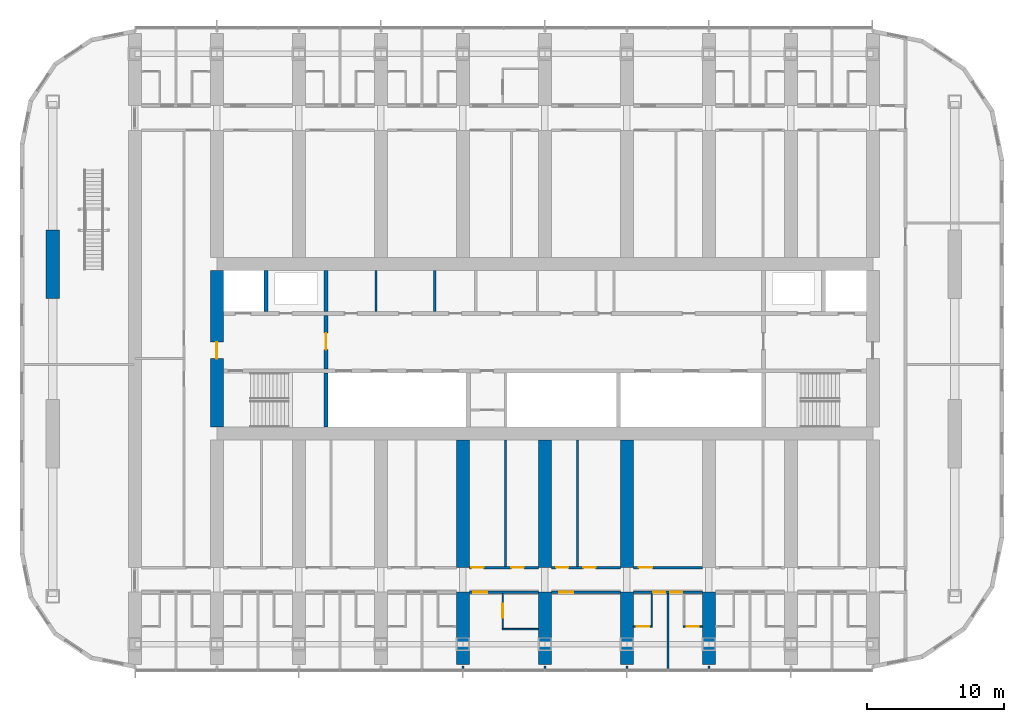
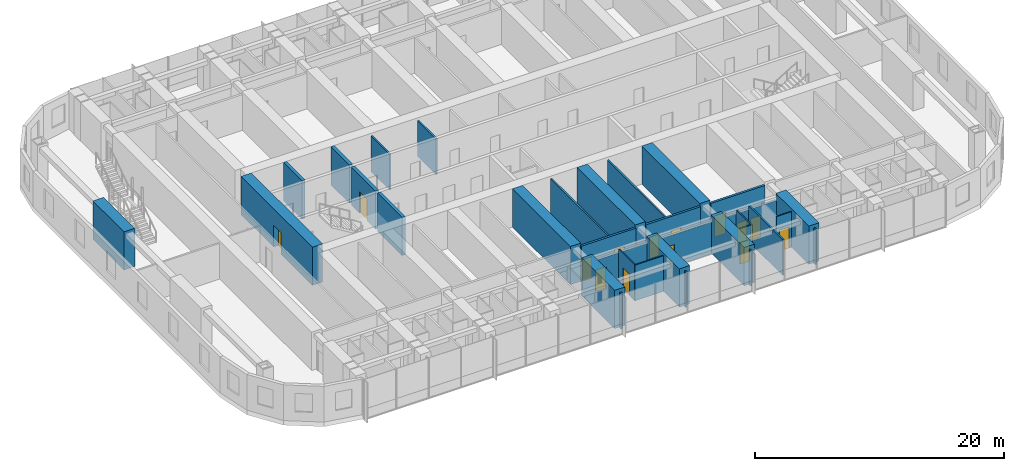
# One storey, part 12 of 25: 33 walls, 14 doors, 14 openings.
"""IFC4 building model written with IfcOpenShell, lengths in metres."""

from ifc_helpers import new_model, si_unit, direction, frame, frame_2d, origin, place, context, subcontext, project, spatial, polyline, rectangle, outline, extrude, material, layer, layer_set, type_object, element, fill, save


model = new_model("IFC4")

# Units and contexts
model_context = context("Model", 3, precision=1e-05, world=origin(), true_north=direction((0.0, 1.0)))
body_context = subcontext(model_context, "Body", "Model", "MODEL_VIEW")
ifc_project = project(units=[si_unit("LENGTHUNIT", "METRE"), si_unit("AREAUNIT", "SQUARE_METRE"), si_unit("VOLUMEUNIT", "CUBIC_METRE"), si_unit("PLANEANGLEUNIT", "RADIAN"), si_unit("MASSUNIT", "GRAM", prefix="KILO")], contexts=[model_context])

# Site, building, storey
site_placement = place(None, origin())
site = spatial("IfcSite", under=ifc_project, at=site_placement, CompositionType="ELEMENT")
building_placement = place(site_placement, origin())
building = spatial("IfcBuilding", under=site, at=building_placement, Name="Orbita Commons", CompositionType="ELEMENT")
storey_placement = place(building_placement, frame((0.0, 0.0, 84.39990234375)))
storey = spatial("IfcBuildingStorey", under=building, at=storey_placement, Name="L20", CompositionType="ELEMENT", Elevation=84.39990234375)

# Wall
ifc_material_1 = material(Name="Concrete C50/60", Category="concrete")
ifc_layer_1 = layer(ifc_material_1, 0.300048828125)
ifc_layer_set_1 = layer_set([ifc_layer_1], Name="Concrete C50/60")
wall_type_1 = type_object("IfcWallType", Name="Core inner wall 300 C50/60", PredefinedType="SHEAR", material=ifc_layer_set_1)
wall_1_placement = place(storey_placement, frame((26.0, 26.27490234375, 0.0), z_axis=(0.0, 0.0, 1.0), x_axis=(0.0, 1.0, 0.0)))
element("IfcWall", 1, at=wall_1_placement, inside=storey, type_object=wall_type_1, Name="Stair S1 wall L20", PredefinedType="SHEAR", context=body_context, shape_type="SweptSolid", body=[
    extrude(rectangle(XDim=3.97509765625, YDim=0.300048828125, at=frame_2d((1.987548828125, 0.0))), origin(), (0.0, 0.0, 1.0), 3.75),
])

# Wall, opening, door
wall_2_placement = place(storey_placement, frame((26.0, 30.550048828125, 0.0), z_axis=(0.0, 0.0, 1.0), x_axis=(0.0, 1.0, 0.0)))
wall_2 = element("IfcWall", 2, at=wall_2_placement, inside=storey, type_object=wall_type_1, Name="Firefighting lobby wall west L20", PredefinedType="SHEAR", context=body_context, shape_type="SweptSolid", body=[
    extrude(rectangle(XDim=3.89990234375, YDim=0.300048828125, at=frame_2d((1.949951171875, 0.0))), origin(), (0.0, 0.0, 1.0), 3.75),
])
opening_1_placement = place(wall_2_placement, frame((1.39990234375, 0.0, 0.0)))
opening_1 = element("IfcOpeningElement", 3, at=opening_1_placement, cuts=wall_2, Name="Opening D04", PredefinedType="OPENING", context=body_context, shape_type="SweptSolid", body=[
    extrude(rectangle(XDim=1.199951171875, YDim=2.10009765625, at=frame_2d((0.60009765625, 1.050048828125))), frame((0.0, 0.159912109375, 0.0), z_axis=(0.0, -1.0, 0.0), x_axis=(1.0, 0.0, 0.0)), (0.0, 0.0, 1.0), 0.320068359375),
])
ifc_material_2 = material(Name="Steel-faced fire door leaf", Category="steel")
door_type_1 = type_object("IfcDoorType", Name="Service door 20 min 1200x2100", OperationType="SINGLE_SWING_LEFT", PredefinedType="DOOR", material=ifc_material_2)
door_1_placement = place(opening_1_placement, origin())
door_1 = element("IfcDoor", 4, at=door_1_placement, inside=storey, type_object=door_type_1, Name="Lift lobby door west", OperationType="SINGLE_SWING_LEFT", OverallHeight=2.10009765625, OverallWidth=1.199951171875, PredefinedType="DOOR", context=body_context, shape_type="SweptSolid", body=[
    extrude(rectangle(XDim=1.199951171875, YDim=2.10009765625, at=frame_2d((0.60009765625, 1.050048828125))), frame((0.0, 0.02490234375, 0.0), z_axis=(0.0, -1.0, 0.0), x_axis=(1.0, 0.0, 0.0)), (0.0, 0.0, 1.0), 0.050048828125),
])
fill(opening_1, door_1)

# Walls
for number, where, z_axis, x_axis, name in (
    (5, (21.60009765625, 34.75, 0.0), (0.0, 0.0, 1.0), (0.0, 1.0, 0.0), "Firefighting lift FL1 shaft wall L20"),
    (6, (26.0, 34.75, 0.0), (0.0, 0.0, 1.0), (0.0, 1.0, 0.0), "Riser wall west L20"),
):
    element("IfcWall", number, at=place(storey_placement, frame(where, z_axis=z_axis, x_axis=x_axis)), inside=storey, type_object=wall_type_1, Name=name, PredefinedType="SHEAR", context=body_context, shape_type="SweptSolid", body=[
        extrude(rectangle(XDim=2.97509765625, YDim=0.300048828125, at=frame_2d((1.487548828125, 0.0))), origin(), (0.0, 0.0, 1.0), 3.75),
    ])
ifc_material_3 = material(Name="Concrete blockwork", Category="masonry")
ifc_layer_2 = layer(ifc_material_3, 0.14990234375)
ifc_layer_set_2 = layer_set([ifc_layer_2], Name="Concrete blockwork")
wall_type_2 = type_object("IfcWallType", Name="Core partition 150 blockwork", PredefinedType="SOLIDWALL", material=ifc_layer_set_2)
for number, where, z_axis, x_axis, name in (
    (7, (29.65087890625, 34.75, 0.0), (0.0, 0.0, 1.0), (0.0, 1.0, 0.0), "Core partition 150 blockwork L20"),
    (8, (33.9462890625, 34.75, 0.0), (0.0, 0.0, 1.0), (0.0, 1.0, 0.0), "Core partition 150 blockwork L20"),
):
    element("IfcWall", number, at=place(storey_placement, frame(where, z_axis=z_axis, x_axis=x_axis)), inside=storey, type_object=wall_type_2, Name=name, PredefinedType="SOLIDWALL", context=body_context, shape_type="SweptSolid", body=[
        extrude(rectangle(XDim=2.97509765625, YDim=0.14990234375, at=frame_2d((1.487548828125, 0.0))), origin(), (0.0, 0.0, 1.0), 3.5),
    ])

# Wall, opening, door
ifc_material_4 = material(Name="Concrete C50/60", Category="concrete")
ifc_layer_3 = layer(ifc_material_4, 0.949951171875)
ifc_layer_set_3 = layer_set([ifc_layer_3], Name="Concrete C50/60")
wall_type_3 = type_object("IfcWallType", Name="Core wall 950 C50/60", PredefinedType="SHEAR", material=ifc_layer_set_3)
wall_3_placement = place(storey_placement, frame((18.0, 26.27490234375, 0.0), z_axis=(0.0, 0.0, 1.0), x_axis=(0.0, 1.0, 0.0)))
wall_3 = element("IfcWall", 9, at=wall_3_placement, inside=storey, type_object=wall_type_3, Name="Core end wall west L20", PredefinedType="SHEAR", context=body_context, shape_type="SweptSolid", body=[
    extrude(rectangle(XDim=11.4501953125, YDim=0.949951171875, at=frame_2d((5.72509765625, 0.0))), origin(), (0.0, 0.0, 1.0), 3.75),
])
opening_2_placement = place(wall_3_placement, frame((5.02490234375, 0.0, 0.0)))
opening_2 = element("IfcOpeningElement", 10, at=opening_2_placement, cuts=wall_3, Name="Opening D01", PredefinedType="OPENING", context=body_context, shape_type="SweptSolid", body=[
    extrude(rectangle(XDim=1.199951171875, YDim=2.10009765625, at=frame_2d((0.60009765625, 1.050048828125))), frame((0.0, 0.48486328125, 0.0), z_axis=(0.0, -1.0, 0.0), x_axis=(1.0, 0.0, 0.0)), (0.0, 0.0, 1.0), 0.969970703125),
])
ifc_material_5 = material(Name="Steel-faced fire door leaf", Category="steel")
door_type_2 = type_object("IfcDoorType", Name="Fire door 90 min 1200x2100", OperationType="SINGLE_SWING_LEFT", PredefinedType="DOOR", material=ifc_material_5)
door_2_placement = place(opening_2_placement, origin())
door_2 = element("IfcDoor", 11, at=door_2_placement, inside=storey, type_object=door_type_2, Name="Firefighting lobby west door", OperationType="SINGLE_SWING_LEFT", OverallHeight=2.10009765625, OverallWidth=1.199951171875, PredefinedType="DOOR", context=body_context, shape_type="SweptSolid", body=[
    extrude(rectangle(XDim=1.199951171875, YDim=2.10009765625, at=frame_2d((0.60009765625, 1.050048828125))), frame((0.0, 0.02490234375, 0.0), z_axis=(0.0, -1.0, 0.0), x_axis=(1.0, 0.0, 0.0)), (0.0, 0.0, 1.0), 0.050048828125),
])
fill(opening_2, door_2)

ifc_material_6 = material(Name="Concrete blockwork", Category="masonry")
ifc_layer_4 = layer(ifc_material_6, 0.199951171875)
ifc_layer_set_4 = layer_set([ifc_layer_4], Name="Concrete blockwork")
wall_type_4 = type_object("IfcWallType", Name="Corridor wall 200 blockwork", PredefinedType="SOLIDWALL", material=ifc_layer_set_4)
wall_4_placement = place(storey_placement, frame((36.47509765625, 14.199951171875, 0.0), z_axis=(0.0, 0.0, 1.0), x_axis=(1.0, 0.0, 0.0)))
wall_4 = element("IfcWall", 12, at=wall_4_placement, inside=storey, type_object=wall_type_4, Name="Corridor wall 200 blockwork L20", PredefinedType="SOLIDWALL", context=body_context, shape_type="SweptSolid", body=[
    extrude(outline(polyline([(0.0, 0.0), (5.0498046875, 0.0), (5.050048828125, 3.10009765625), (0.0, 3.10009765625), (0.0, 0.0)])), frame((0.0, 0.10009765625, 0.0), z_axis=(0.0, -1.0, 0.0), x_axis=(1.0, 0.0, 0.0)), (0.0, 0.0, 1.0), 0.199951171875),
])
opening_3_placement = place(wall_4_placement, frame((0.300048828125, 0.0, 0.0)))
opening_3 = element("IfcOpeningElement", 13, at=opening_3_placement, cuts=wall_4, Name="Opening D06", PredefinedType="OPENING", context=body_context, shape_type="SweptSolid", body=[
    extrude(rectangle(XDim=1.0, YDim=2.10009765625, at=frame_2d((0.5, 1.050048828125))), frame((0.0, 0.10986328125, 0.0), z_axis=(0.0, -1.0, 0.0), x_axis=(1.0, 0.0, 0.0)), (0.0, 0.0, 1.0), 0.219970703125),
])
ifc_material_7 = material(Name="Steel-faced fire door leaf", Category="steel")
door_type_3 = type_object("IfcDoorType", Name="Corridor door 20 min 1000x2100", OperationType="SINGLE_SWING_LEFT", PredefinedType="DOOR", material=ifc_material_7)
door_3_placement = place(opening_3_placement, origin())
door_3 = element("IfcDoor", 14, at=door_3_placement, inside=storey, type_object=door_type_3, Name="Accessible bedroom L20-S08 door", OperationType="SINGLE_SWING_LEFT", OverallHeight=2.10009765625, OverallWidth=1.0, PredefinedType="DOOR", context=body_context, shape_type="SweptSolid", body=[
    extrude(rectangle(XDim=1.0, YDim=2.10009765625, at=frame_2d((0.5, 1.050048828125))), frame((0.0, 0.02490234375, 0.0), z_axis=(0.0, -1.0, 0.0), x_axis=(1.0, 0.0, 0.0)), (0.0, 0.0, 1.0), 0.050048828125),
])
fill(opening_3, door_3)

wall_5_placement = place(storey_placement, frame((42.47509765625, 14.199951171875, 0.0), z_axis=(0.0, 0.0, 1.0), x_axis=(1.0, 0.0, 0.0)))
wall_5 = element("IfcWall", 15, at=wall_5_placement, inside=storey, type_object=wall_type_4, Name="Corridor wall 200 blockwork L20", PredefinedType="SOLIDWALL", context=body_context, shape_type="SweptSolid", body=[
    extrude(outline(polyline([(0.0, 0.0), (5.0498046875, 0.0), (5.050048828125, 3.10009765625), (0.0, 3.10009765625), (0.0, 0.0)])), frame((0.0, 0.10009765625, 0.0), z_axis=(0.0, -1.0, 0.0), x_axis=(1.0, 0.0, 0.0)), (0.0, 0.0, 1.0), 0.199951171875),
])
opening_4_placement = place(wall_5_placement, frame((0.60009765625, 0.0, 0.0)))
opening_4 = element("IfcOpeningElement", 16, at=opening_4_placement, cuts=wall_5, Name="Opening D06", PredefinedType="OPENING", context=body_context, shape_type="SweptSolid", body=[
    extrude(rectangle(XDim=1.0, YDim=2.10009765625, at=frame_2d((0.5, 1.050048828125))), frame((0.0, 0.10986328125, 0.0), z_axis=(0.0, -1.0, 0.0), x_axis=(1.0, 0.0, 0.0)), (0.0, 0.0, 1.0), 0.219970703125),
])
door_4_placement = place(opening_4_placement, origin())
door_4 = element("IfcDoor", 17, at=door_4_placement, inside=storey, type_object=door_type_3, Name="Cluster kitchen-diner L20-S10 door", OperationType="SINGLE_SWING_LEFT", OverallHeight=2.10009765625, OverallWidth=1.0, PredefinedType="DOOR", context=body_context, shape_type="SweptSolid", body=[
    extrude(rectangle(XDim=1.0, YDim=2.10009765625, at=frame_2d((0.5, 1.050048828125))), frame((0.0, 0.02490234375, 0.0), z_axis=(0.0, -1.0, 0.0), x_axis=(1.0, 0.0, 0.0)), (0.0, 0.0, 1.0), 0.050048828125),
])
fill(opening_4, door_4)

# Wall, openings, doors
wall_6_placement = place(storey_placement, frame((48.47509765625, 14.199951171875, 0.0), z_axis=(0.0, 0.0, 1.0), x_axis=(1.0, 0.0, 0.0)))
wall_6 = element("IfcWall", 18, at=wall_6_placement, inside=storey, type_object=wall_type_4, Name="Corridor wall 200 blockwork L20", PredefinedType="SOLIDWALL", context=body_context, shape_type="SweptSolid", body=[
    extrude(outline(polyline([(0.0, 0.0), (5.0498046875, 0.0), (5.050048828125, 3.10009765625), (0.0, 3.10009765625), (0.0, 0.0)])), frame((0.0, 0.10009765625, 0.0), z_axis=(0.0, -1.0, 0.0), x_axis=(1.0, 0.0, 0.0)), (0.0, 0.0, 1.0), 0.199951171875),
])
opening_5_placement = place(wall_6_placement, frame((1.449951171875, 0.0, 0.0)))
opening_5 = element("IfcOpeningElement", 19, at=opening_5_placement, cuts=wall_6, Name="Opening D11", PredefinedType="OPENING", context=body_context, shape_type="SweptSolid", body=[
    extrude(rectangle(XDim=0.89990234375, YDim=2.10009765625, at=frame_2d((0.449951171875, 1.050048828125))), frame((0.0, 0.10986328125, 0.0), z_axis=(0.0, -1.0, 0.0), x_axis=(1.0, 0.0, 0.0)), (0.0, 0.0, 1.0), 0.219970703125),
])
opening_6_placement = place(wall_6_placement, frame((2.699951171875, 0.0, 0.0)))
opening_6 = element("IfcOpeningElement", 20, at=opening_6_placement, cuts=wall_6, Name="Opening D11", PredefinedType="OPENING", context=body_context, shape_type="SweptSolid", body=[
    extrude(rectangle(XDim=0.89990234375, YDim=2.10009765625, at=frame_2d((0.449951171875, 1.050048828125))), frame((0.0, 0.10986328125, 0.0), z_axis=(0.0, -1.0, 0.0), x_axis=(1.0, 0.0, 0.0)), (0.0, 0.0, 1.0), 0.219970703125),
])
ifc_material_8 = material(Name="Steel-faced fire door leaf", Category="steel")
door_type_4 = type_object("IfcDoorType", Name="Corridor door 20 min 900x2100", OperationType="SINGLE_SWING_LEFT", PredefinedType="DOOR", material=ifc_material_8)
door_5_placement = place(opening_5_placement, origin())
door_5 = element("IfcDoor", 21, at=door_5_placement, inside=storey, type_object=door_type_4, Name="Cluster bedroom L20-S12 door", OperationType="SINGLE_SWING_LEFT", OverallHeight=2.10009765625, OverallWidth=0.89990234375, PredefinedType="DOOR", context=body_context, shape_type="SweptSolid", body=[
    extrude(rectangle(XDim=0.89990234375, YDim=2.10009765625, at=frame_2d((0.449951171875, 1.050048828125))), frame((0.0, 0.02490234375, 0.0), z_axis=(0.0, -1.0, 0.0), x_axis=(1.0, 0.0, 0.0)), (0.0, 0.0, 1.0), 0.050048828125),
])
fill(opening_5, door_5)
door_6_placement = place(opening_6_placement, origin())
door_6 = element("IfcDoor", 22, at=door_6_placement, inside=storey, type_object=door_type_4, Name="Cluster bedroom L20-S13 door", OperationType="SINGLE_SWING_LEFT", OverallHeight=2.10009765625, OverallWidth=0.89990234375, PredefinedType="DOOR", context=body_context, shape_type="SweptSolid", body=[
    extrude(rectangle(XDim=0.89990234375, YDim=2.10009765625, at=frame_2d((0.449951171875, 1.050048828125))), frame((0.0, 0.02490234375, 0.0), z_axis=(0.0, -1.0, 0.0), x_axis=(1.0, 0.0, 0.0)), (0.0, 0.0, 1.0), 0.050048828125),
])
fill(opening_6, door_6)

ifc_material_9 = material(Name="Hollow concrete block 200", Category="concrete")
ifc_layer_5 = layer(ifc_material_9, 0.199951171875)
ifc_layer_set_5 = layer_set([ifc_layer_5], Name="Hollow concrete block 200")
wall_type_5 = type_object("IfcWallType", Name="Corridor wall 200 hollow concrete block", PredefinedType="SOLIDWALL", material=ifc_layer_set_5)
wall_7_placement = place(storey_placement, frame((36.47509765625, 16.0, 0.0), z_axis=(0.0, 0.0, 1.0), x_axis=(1.0, 0.0, 0.0)))
wall_7 = element("IfcWall", 23, at=wall_7_placement, inside=storey, type_object=wall_type_5, Name="Corridor wall 200 hollow concrete block L20", PredefinedType="SOLIDWALL", context=body_context, shape_type="SweptSolid", body=[
    extrude(rectangle(XDim=5.0498046875, YDim=0.199951171875, at=frame_2d((2.52490234375, 0.0))), origin(), (0.0, 0.0, 1.0), 3.5),
])
opening_7_placement = place(wall_7_placement, frame((0.14990234375, 0.0, 0.0)))
opening_7 = element("IfcOpeningElement", 24, at=opening_7_placement, cuts=wall_7, Name="Opening D11", PredefinedType="OPENING", context=body_context, shape_type="SweptSolid", body=[
    extrude(rectangle(XDim=0.89990234375, YDim=2.10009765625, at=frame_2d((0.449951171875, 1.050048828125))), frame((0.0, 0.10986328125, 0.0), z_axis=(0.0, -1.0, 0.0), x_axis=(1.0, 0.0, 0.0)), (0.0, 0.0, 1.0), 0.219970703125),
])
opening_8_placement = place(wall_7_placement, frame((3.0849609375, 0.0, 0.0)))
opening_8 = element("IfcOpeningElement", 25, at=opening_8_placement, cuts=wall_7, Name="Opening D11", PredefinedType="OPENING", context=body_context, shape_type="SweptSolid", body=[
    extrude(rectangle(XDim=0.89990234375, YDim=2.10009765625, at=frame_2d((0.449951171875, 1.050048828125))), frame((0.0, 0.10986328125, 0.0), z_axis=(0.0, -1.0, 0.0), x_axis=(1.0, 0.0, 0.0)), (0.0, 0.0, 1.0), 0.219970703125),
])
door_7_placement = place(opening_7_placement, origin())
door_7 = element("IfcDoor", 26, at=door_7_placement, inside=storey, type_object=door_type_4, Name="Battery and UPS room L20-BDS36n door", OperationType="SINGLE_SWING_LEFT", OverallHeight=2.10009765625, OverallWidth=0.89990234375, PredefinedType="DOOR", context=body_context, shape_type="SweptSolid", body=[
    extrude(rectangle(XDim=0.89990234375, YDim=2.10009765625, at=frame_2d((0.449951171875, 1.050048828125))), frame((0.0, 0.02490234375, 0.0), z_axis=(0.0, -1.0, 0.0), x_axis=(1.0, 0.0, 0.0)), (0.0, 0.0, 1.0), 0.050048828125),
])
fill(opening_7, door_7)
door_8_placement = place(opening_8_placement, origin())
door_8 = element("IfcDoor", 27, at=door_8_placement, inside=storey, type_object=door_type_4, Name="Refuse and recycling room L20-BDS36 door", OperationType="SINGLE_SWING_LEFT", OverallHeight=2.10009765625, OverallWidth=0.89990234375, PredefinedType="DOOR", context=body_context, shape_type="SweptSolid", body=[
    extrude(rectangle(XDim=0.89990234375, YDim=2.10009765625, at=frame_2d((0.449951171875, 1.050048828125))), frame((0.0, 0.02490234375, 0.0), z_axis=(0.0, -1.0, 0.0), x_axis=(1.0, 0.0, 0.0)), (0.0, 0.0, 1.0), 0.050048828125),
])
fill(opening_8, door_8)

wall_8_placement = place(storey_placement, frame((42.47509765625, 16.0, 0.0), z_axis=(0.0, 0.0, 1.0), x_axis=(1.0, 0.0, 0.0)))
wall_8 = element("IfcWall", 28, at=wall_8_placement, inside=storey, type_object=wall_type_5, Name="Corridor wall 200 hollow concrete block L20", PredefinedType="SOLIDWALL", context=body_context, shape_type="SweptSolid", body=[
    extrude(rectangle(XDim=5.0498046875, YDim=0.199951171875, at=frame_2d((2.52490234375, 0.0))), origin(), (0.0, 0.0, 1.0), 3.5),
])
opening_9_placement = place(wall_8_placement, frame((0.35009765625, 0.0, 0.0)))
opening_9 = element("IfcOpeningElement", 29, at=opening_9_placement, cuts=wall_8, Name="Opening D11", PredefinedType="OPENING", context=body_context, shape_type="SweptSolid", body=[
    extrude(rectangle(XDim=0.89990234375, YDim=2.10009765625, at=frame_2d((0.449951171875, 1.050048828125))), frame((0.0, 0.10986328125, 0.0), z_axis=(0.0, -1.0, 0.0), x_axis=(1.0, 0.0, 0.0)), (0.0, 0.0, 1.0), 0.219970703125),
])
opening_10_placement = place(wall_8_placement, frame((2.344970703125, 0.0, 0.0)))
opening_10 = element("IfcOpeningElement", 30, at=opening_10_placement, cuts=wall_8, Name="Opening D11", PredefinedType="OPENING", context=body_context, shape_type="SweptSolid", body=[
    extrude(rectangle(XDim=0.89990234375, YDim=2.10009765625, at=frame_2d((0.449951171875, 1.050048828125))), frame((0.0, 0.10986328125, 0.0), z_axis=(0.0, -1.0, 0.0), x_axis=(1.0, 0.0, 0.0)), (0.0, 0.0, 1.0), 0.219970703125),
])
door_9_placement = place(opening_9_placement, origin())
door_9 = element("IfcDoor", 31, at=door_9_placement, inside=storey, type_object=door_type_4, Name="Sprinkler valve room L20-BDS42n door", OperationType="SINGLE_SWING_LEFT", OverallHeight=2.10009765625, OverallWidth=0.89990234375, PredefinedType="DOOR", context=body_context, shape_type="SweptSolid", body=[
    extrude(rectangle(XDim=0.89990234375, YDim=2.10009765625, at=frame_2d((0.449951171875, 1.050048828125))), frame((0.0, 0.02490234375, 0.0), z_axis=(0.0, -1.0, 0.0), x_axis=(1.0, 0.0, 0.0)), (0.0, 0.0, 1.0), 0.050048828125),
])
fill(opening_9, door_9)
door_10_placement = place(opening_10_placement, origin())
door_10 = element("IfcDoor", 32, at=door_10_placement, inside=storey, type_object=door_type_4, Name="Cleaners store L20-BDS42 door", OperationType="SINGLE_SWING_LEFT", OverallHeight=2.10009765625, OverallWidth=0.89990234375, PredefinedType="DOOR", context=body_context, shape_type="SweptSolid", body=[
    extrude(rectangle(XDim=0.89990234375, YDim=2.10009765625, at=frame_2d((0.449951171875, 1.050048828125))), frame((0.0, 0.02490234375, 0.0), z_axis=(0.0, -1.0, 0.0), x_axis=(1.0, 0.0, 0.0)), (0.0, 0.0, 1.0), 0.050048828125),
])
fill(opening_10, door_10)

# Wall, opening, door
wall_9_placement = place(storey_placement, frame((48.47509765625, 16.0, 0.0), z_axis=(0.0, 0.0, 1.0), x_axis=(1.0, 0.0, 0.0)))
wall_9 = element("IfcWall", 33, at=wall_9_placement, inside=storey, type_object=wall_type_5, Name="Corridor wall 200 hollow concrete block L20", PredefinedType="SOLIDWALL", context=body_context, shape_type="SweptSolid", body=[
    extrude(rectangle(XDim=5.0498046875, YDim=0.199951171875, at=frame_2d((2.52490234375, 0.0))), origin(), (0.0, 0.0, 1.0), 3.5),
])
opening_11_placement = place(wall_9_placement, frame((0.39990234375, 0.0, 0.0)))
opening_11 = element("IfcOpeningElement", 34, at=opening_11_placement, cuts=wall_9, Name="Opening D06", PredefinedType="OPENING", context=body_context, shape_type="SweptSolid", body=[
    extrude(rectangle(XDim=1.0, YDim=2.10009765625, at=frame_2d((0.5, 1.050048828125))), frame((0.0, 0.10986328125, 0.0), z_axis=(0.0, -1.0, 0.0), x_axis=(1.0, 0.0, 0.0)), (0.0, 0.0, 1.0), 0.219970703125),
])
door_11_placement = place(opening_11_placement, origin())
door_11 = element("IfcDoor", 35, at=door_11_placement, inside=storey, type_object=door_type_3, Name="Linen store L20-BDS48 door", OperationType="SINGLE_SWING_LEFT", OverallHeight=2.10009765625, OverallWidth=1.0, PredefinedType="DOOR", context=body_context, shape_type="SweptSolid", body=[
    extrude(rectangle(XDim=1.0, YDim=2.10009765625, at=frame_2d((0.5, 1.050048828125))), frame((0.0, 0.02490234375, 0.0), z_axis=(0.0, -1.0, 0.0), x_axis=(1.0, 0.0, 0.0)), (0.0, 0.0, 1.0), 0.050048828125),
])
fill(opening_11, door_11)

# Walls
ifc_material_10 = material(Name="Concrete C50/60", Category="concrete")
ifc_layer_6 = layer(ifc_material_10, 0.949951171875)
ifc_layer_set_6 = layer_set([ifc_layer_6], Name="Concrete C50/60")
wall_type_6 = type_object("IfcWallType", Name="Cross wall 950 C50/60", PredefinedType="SHEAR", material=ifc_layer_set_6)
wall_10_placement = place(storey_placement, frame((36.0, 8.89990234375, 0.0), z_axis=(0.0, 0.0, 1.0), x_axis=(0.0, 1.0, 0.0)))
element("IfcWall", 36, at=wall_10_placement, inside=storey, type_object=wall_type_6, Name="Cross wall 7 south outer L20", PredefinedType="SHEAR", context=body_context, shape_type="SweptSolid", body=[
    extrude(rectangle(XDim=5.300048828125, YDim=0.949951171875, at=frame_2d((2.64990234375, 0.0))), origin(), (0.0, 0.0, 1.0), 3.75),
])
wall_11_placement = place(storey_placement, frame((36.0, 16.0, 0.0), z_axis=(0.0, 0.0, 1.0), x_axis=(0.0, 1.0, 0.0)))
element("IfcWall", 37, at=wall_11_placement, inside=storey, type_object=wall_type_6, Name="Cross wall 7 south inner L20", PredefinedType="SHEAR", context=body_context, shape_type="SweptSolid", body=[
    extrude(rectangle(XDim=9.324951171875, YDim=0.949951171875, at=frame_2d((4.66259765625, 0.0))), origin(), (0.0, 0.0, 1.0), 3.75),
])
wall_12_placement = place(storey_placement, frame((42.0, 8.89990234375, 0.0), z_axis=(0.0, 0.0, 1.0), x_axis=(0.0, 1.0, 0.0)))
element("IfcWall", 38, at=wall_12_placement, inside=storey, type_object=wall_type_6, Name="Cross wall 8 south outer L20", PredefinedType="SHEAR", context=body_context, shape_type="SweptSolid", body=[
    extrude(rectangle(XDim=5.300048828125, YDim=0.949951171875, at=frame_2d((2.64990234375, 0.0))), origin(), (0.0, 0.0, 1.0), 3.75),
])
wall_13_placement = place(storey_placement, frame((42.0, 16.0, 0.0), z_axis=(0.0, 0.0, 1.0), x_axis=(0.0, 1.0, 0.0)))
element("IfcWall", 39, at=wall_13_placement, inside=storey, type_object=wall_type_6, Name="Cross wall 8 south inner L20", PredefinedType="SHEAR", context=body_context, shape_type="SweptSolid", body=[
    extrude(rectangle(XDim=9.324951171875, YDim=0.949951171875, at=frame_2d((4.66259765625, 0.0))), origin(), (0.0, 0.0, 1.0), 3.75),
])
wall_14_placement = place(storey_placement, frame((48.0, 8.89990234375, 0.0), z_axis=(0.0, 0.0, 1.0), x_axis=(0.0, 1.0, 0.0)))
element("IfcWall", 40, at=wall_14_placement, inside=storey, type_object=wall_type_6, Name="Cross wall 9 south outer L20", PredefinedType="SHEAR", context=body_context, shape_type="SweptSolid", body=[
    extrude(rectangle(XDim=5.300048828125, YDim=0.949951171875, at=frame_2d((2.64990234375, 0.0))), origin(), (0.0, 0.0, 1.0), 3.75),
])
wall_15_placement = place(storey_placement, frame((48.0, 16.0, 0.0), z_axis=(0.0, 0.0, 1.0), x_axis=(0.0, 1.0, 0.0)))
element("IfcWall", 41, at=wall_15_placement, inside=storey, type_object=wall_type_6, Name="Cross wall 9 south inner L20", PredefinedType="SHEAR", context=body_context, shape_type="SweptSolid", body=[
    extrude(rectangle(XDim=9.324951171875, YDim=0.949951171875, at=frame_2d((4.66259765625, 0.0))), origin(), (0.0, 0.0, 1.0), 3.75),
])
wall_16_placement = place(storey_placement, frame((54.0, 8.89990234375, 0.0), z_axis=(0.0, 0.0, 1.0), x_axis=(0.0, 1.0, 0.0)))
element("IfcWall", 42, at=wall_16_placement, inside=storey, type_object=wall_type_6, Name="Cross wall 10 south outer L20", PredefinedType="SHEAR", context=body_context, shape_type="SweptSolid", body=[
    extrude(rectangle(XDim=5.300048828125, YDim=0.949951171875, at=frame_2d((2.64990234375, 0.0))), origin(), (0.0, 0.0, 1.0), 3.75),
])
ifc_material_11 = material(Name="Moisture-resistant plasterboard on steel studs", Category="steel")
ifc_layer_7 = layer(ifc_material_11, 0.10009765625)
ifc_layer_set_7 = layer_set([ifc_layer_7], Name="Moisture-resistant plasterboard on steel studs")
wall_type_7 = type_object("IfcWallType", Name="En-suite partition 100", PredefinedType="PARTITIONING", material=ifc_layer_set_7)
wall_17_placement = place(storey_placement, frame((38.875, 11.5, 0.0), z_axis=(0.0, 0.0, 1.0), x_axis=(1.0, 0.0, 0.0)))
element("IfcWall", 43, at=wall_17_placement, inside=storey, type_object=wall_type_7, Name="En-suite partition 100 L20", PredefinedType="PARTITIONING", context=body_context, shape_type="SweptSolid", body=[
    extrude(rectangle(XDim=2.64990234375, YDim=0.10009765625, at=frame_2d((1.324951171875, 0.0))), origin(), (0.0, 0.0, 1.0), 3.5),
])

# Wall, opening, door
wall_18_placement = place(storey_placement, frame((38.925048828125, 11.550048828125, 0.0), z_axis=(0.0, 0.0, 1.0), x_axis=(0.0, 1.0, 0.0)))
wall_18 = element("IfcWall", 44, at=wall_18_placement, inside=storey, type_object=wall_type_7, Name="En-suite partition 100 L20", PredefinedType="PARTITIONING", context=body_context, shape_type="SweptSolid", body=[
    extrude(outline(polyline([(0.0, 0.0), (2.550048828125, 0.0), (2.550048828125, 3.10009765625), (2.501953125, 3.10009765625), (2.5, 3.5), (0.0, 3.5), (0.0, 0.0)])), frame((0.0, 0.050048828125, 0.0), z_axis=(0.0, -1.0, 0.0), x_axis=(1.0, 0.0, 0.0)), (0.0, 0.0, 1.0), 0.10009765625),
])
opening_12_placement = place(wall_18_placement, frame((0.800048828125, 0.0, 0.0)))
opening_12 = element("IfcOpeningElement", 45, at=opening_12_placement, cuts=wall_18, Name="Opening D13", PredefinedType="OPENING", context=body_context, shape_type="SweptSolid", body=[
    extrude(rectangle(XDim=1.0, YDim=2.10009765625, at=frame_2d((0.5, 1.050048828125))), frame((0.0, 0.06005859375, 0.0), z_axis=(0.0, -1.0, 0.0), x_axis=(1.0, 0.0, 0.0)), (0.0, 0.0, 1.0), 0.1201171875),
])
ifc_material_12 = material(Name="Laminated timber door leaf", Category="wood")
door_type_5 = type_object("IfcDoorType", Name="En-suite door 1000x2100", OperationType="SINGLE_SWING_RIGHT", PredefinedType="DOOR", material=ifc_material_12)
door_12_placement = place(opening_12_placement, origin())
door_12 = element("IfcDoor", 46, at=door_12_placement, inside=storey, type_object=door_type_5, Name="Accessible shower room L20-S08 door", OperationType="SINGLE_SWING_RIGHT", OverallHeight=2.10009765625, OverallWidth=1.0, PredefinedType="DOOR", context=body_context, shape_type="SweptSolid", body=[
    extrude(rectangle(XDim=1.0, YDim=2.10009765625, at=frame_2d((0.5, 1.050048828125))), frame((0.0, 0.02490234375, 0.0), z_axis=(0.0, -1.0, 0.0), x_axis=(1.0, 0.0, 0.0)), (0.0, 0.0, 1.0), 0.050048828125),
])
fill(opening_12, door_12)

wall_19_placement = place(storey_placement, frame((49.875, 11.699951171875, 0.0), z_axis=(0.0, 0.0, 1.0), x_axis=(-1.0, 0.0, 0.0)))
wall_19 = element("IfcWall", 47, at=wall_19_placement, inside=storey, type_object=wall_type_7, Name="En-suite partition 100 L20", PredefinedType="PARTITIONING", context=body_context, shape_type="SweptSolid", body=[
    extrude(rectangle(XDim=1.39990234375, YDim=0.10009765625, at=frame_2d((0.699951171875, 0.0))), origin(), (0.0, 0.0, 1.0), 3.5),
])
opening_13_placement = place(wall_19_placement, frame((0.25, 0.0, 0.0)))
opening_13 = element("IfcOpeningElement", 48, at=opening_13_placement, cuts=wall_19, Name="Opening D09", PredefinedType="OPENING", context=body_context, shape_type="SweptSolid", body=[
    extrude(rectangle(XDim=0.89990234375, YDim=2.10009765625, at=frame_2d((0.449951171875, 1.050048828125))), frame((0.0, 0.06005859375, 0.0), z_axis=(0.0, -1.0, 0.0), x_axis=(1.0, 0.0, 0.0)), (0.0, 0.0, 1.0), 0.1201171875),
])
ifc_material_13 = material(Name="Laminated timber door leaf", Category="wood")
door_type_6 = type_object("IfcDoorType", Name="En-suite door 900x2100", OperationType="SINGLE_SWING_RIGHT", PredefinedType="DOOR", material=ifc_material_13)
door_13_placement = place(opening_13_placement, origin())
door_13 = element("IfcDoor", 49, at=door_13_placement, inside=storey, type_object=door_type_6, Name="En-suite L20-S12 door", OperationType="SINGLE_SWING_RIGHT", OverallHeight=2.10009765625, OverallWidth=0.89990234375, PredefinedType="DOOR", context=body_context, shape_type="SweptSolid", body=[
    extrude(rectangle(XDim=0.89990234375, YDim=2.10009765625, at=frame_2d((0.449951171875, 1.050048828125))), frame((0.0, 0.02490234375, 0.0), z_axis=(0.0, -1.0, 0.0), x_axis=(1.0, 0.0, 0.0)), (0.0, 0.0, 1.0), 0.050048828125),
])
fill(opening_13, door_13)

# Wall
wall_20_placement = place(storey_placement, frame((49.824951171875, 11.75, 0.0), z_axis=(0.0, 0.0, 1.0), x_axis=(0.0, 1.0, 0.0)))
element("IfcWall", 50, at=wall_20_placement, inside=storey, type_object=wall_type_7, Name="En-suite partition 100 L20", PredefinedType="PARTITIONING", context=body_context, shape_type="SweptSolid", body=[
    extrude(outline(polyline([(0.0, 0.0), (2.35009765625, 0.0), (2.35009765625, 3.10009765625), (2.302001953125, 3.10009765625), (2.300048828125, 3.5), (0.0, 3.5), (0.0, 0.0)])), frame((0.0, 0.050048828125, 0.0), z_axis=(0.0, -1.0, 0.0), x_axis=(1.0, 0.0, 0.0)), (0.0, 0.0, 1.0), 0.10009765625),
])

# Wall, opening, door
wall_21_placement = place(storey_placement, frame((53.52490234375, 11.699951171875, 0.0), z_axis=(0.0, 0.0, 1.0), x_axis=(-1.0, 0.0, 0.0)))
wall_21 = element("IfcWall", 51, at=wall_21_placement, inside=storey, type_object=wall_type_7, Name="En-suite partition 100 L20", PredefinedType="PARTITIONING", context=body_context, shape_type="SweptSolid", body=[
    extrude(rectangle(XDim=1.39990234375, YDim=0.10009765625, at=frame_2d((0.699951171875, 0.0))), origin(), (0.0, 0.0, 1.0), 3.5),
])
opening_14_placement = place(wall_21_placement, frame((0.25, 0.0, 0.0)))
opening_14 = element("IfcOpeningElement", 52, at=opening_14_placement, cuts=wall_21, Name="Opening D09", PredefinedType="OPENING", context=body_context, shape_type="SweptSolid", body=[
    extrude(rectangle(XDim=0.89990234375, YDim=2.10009765625, at=frame_2d((0.449951171875, 1.050048828125))), frame((0.0, 0.06005859375, 0.0), z_axis=(0.0, -1.0, 0.0), x_axis=(1.0, 0.0, 0.0)), (0.0, 0.0, 1.0), 0.1201171875),
])
door_14_placement = place(opening_14_placement, origin())
door_14 = element("IfcDoor", 53, at=door_14_placement, inside=storey, type_object=door_type_6, Name="En-suite L20-S13 door", OperationType="SINGLE_SWING_RIGHT", OverallHeight=2.10009765625, OverallWidth=0.89990234375, PredefinedType="DOOR", context=body_context, shape_type="SweptSolid", body=[
    extrude(rectangle(XDim=0.89990234375, YDim=2.10009765625, at=frame_2d((0.449951171875, 1.050048828125))), frame((0.0, 0.02490234375, 0.0), z_axis=(0.0, -1.0, 0.0), x_axis=(1.0, 0.0, 0.0)), (0.0, 0.0, 1.0), 0.050048828125),
])
fill(opening_14, door_14)

# Walls
ifc_material_14 = material(Name="Concrete C50/60", Category="concrete")
ifc_layer_8 = layer(ifc_material_14, 1.0)
ifc_layer_set_8 = layer_set([ifc_layer_8], Name="Concrete C50/60")
wall_type_8 = type_object("IfcWallType", Name="End pier 1000x5000 C50/60", PredefinedType="SHEAR", material=ifc_layer_set_8)
wall_22_placement = place(storey_placement, frame((6.0, 35.699951171875, 0.0), z_axis=(0.0, 0.0, 1.0), x_axis=(0.0, 1.0, 0.0)))
element("IfcWall", 54, at=wall_22_placement, inside=storey, type_object=wall_type_8, Name="End pier 2/D L20", PredefinedType="SHEAR", context=body_context, shape_type="SweptSolid", body=[
    extrude(rectangle(XDim=5.0, YDim=1.0, at=frame_2d((2.5, 0.0))), origin(), (0.0, 0.0, 1.0), 3.75),
])
ifc_material_15 = material(Name="Gypsum plasterboard on steel studs", Category="steel")
ifc_layer_9 = layer(ifc_material_15, 0.14990234375)
ifc_layer_set_9 = layer_set([ifc_layer_9], Name="Gypsum plasterboard on steel studs")
wall_type_9 = type_object("IfcWallType", Name="Partition 150 plasterboard", PredefinedType="PARTITIONING", material=ifc_layer_set_9)
for number, where, z_axis, x_axis, name in (
    (55, (39.135009765625, 16.10009765625, 0.0), (0.0, 0.0, 1.0), (0.0, 1.0, 0.0), "Partition 150 plasterboard L20"),
    (56, (44.39501953125, 16.10009765625, 0.0), (0.0, 0.0, 1.0), (0.0, 1.0, 0.0), "Partition 150 plasterboard L20"),
):
    element("IfcWall", number, at=place(storey_placement, frame(where, z_axis=z_axis, x_axis=x_axis)), inside=storey, type_object=wall_type_9, Name=name, PredefinedType="PARTITIONING", context=body_context, shape_type="SweptSolid", body=[
        extrude(rectangle(XDim=9.224853515625, YDim=0.14990234375, at=frame_2d((4.6123046875, 0.0))), origin(), (0.0, 0.0, 1.0), 3.5),
    ])
for number, where, z_axis, x_axis, name in (
    (57, (36.0, 8.800048828125, 0.0), (0.0, 0.0, 1.0), (0.0, -1.0, 0.0), "Partition 150 plasterboard L20"),
    (58, (42.0, 8.800048828125, 0.0), (0.0, 0.0, 1.0), (0.0, -1.0, 0.0), "Partition 150 plasterboard L20"),
    (59, (48.0, 8.800048828125, 0.0), (0.0, 0.0, 1.0), (0.0, -1.0, 0.0), "Partition 150 plasterboard L20"),
    (60, (54.0, 8.800048828125, 0.0), (0.0, 0.0, 1.0), (0.0, -1.0, 0.0), "Partition 150 plasterboard L20"),
):
    element("IfcWall", number, at=place(storey_placement, frame(where, z_axis=z_axis, x_axis=x_axis)), inside=storey, type_object=wall_type_9, Name=name, PredefinedType="PARTITIONING", context=body_context, shape_type="SweptSolid", body=[
        extrude(rectangle(XDim=0.18994140625, YDim=0.14990234375, at=frame_2d((0.094970703125, 0.0))), origin(), (0.0, 0.0, 1.0), 3.5),
    ])
ifc_material_16 = material(Name="Gypsum plasterboard on steel studs", Category="steel")
ifc_layer_10 = layer(ifc_material_16, 0.14990234375)
ifc_layer_set_10 = layer_set([ifc_layer_10], Name="Gypsum plasterboard on steel studs")
wall_type_10 = type_object("IfcWallType", Name="Party wall 150 plasterboard", PredefinedType="PARTITIONING", material=ifc_layer_set_10)
wall_23_placement = place(storey_placement, frame((51.0, 8.610107421875, 0.0), z_axis=(0.0, 0.0, 1.0), x_axis=(0.0, 1.0, 0.0)))
element("IfcWall", 61, at=wall_23_placement, inside=storey, type_object=wall_type_10, Name="Party wall 150 plasterboard L20", PredefinedType="PARTITIONING", context=body_context, shape_type="SweptSolid", body=[
    extrude(outline(polyline([(0.0, 0.0), (5.489990234375, 0.0), (5.489990234375, 3.10009765625), (5.44189453125, 3.10009765625), (5.43994140625, 3.5), (1.991943359375, 3.5), (1.989990234375, 3.10009765625), (1.592041015625, 3.10009765625), (1.590087890625, 3.5), (0.0, 3.5), (0.0, 0.0)])), frame((0.0, 0.074951171875, 0.0), z_axis=(0.0, -1.0, 0.0), x_axis=(1.0, 0.0, 0.0)), (0.0, 0.0, 1.0), 0.14990234375),
])

save(model, "model.ifc")
